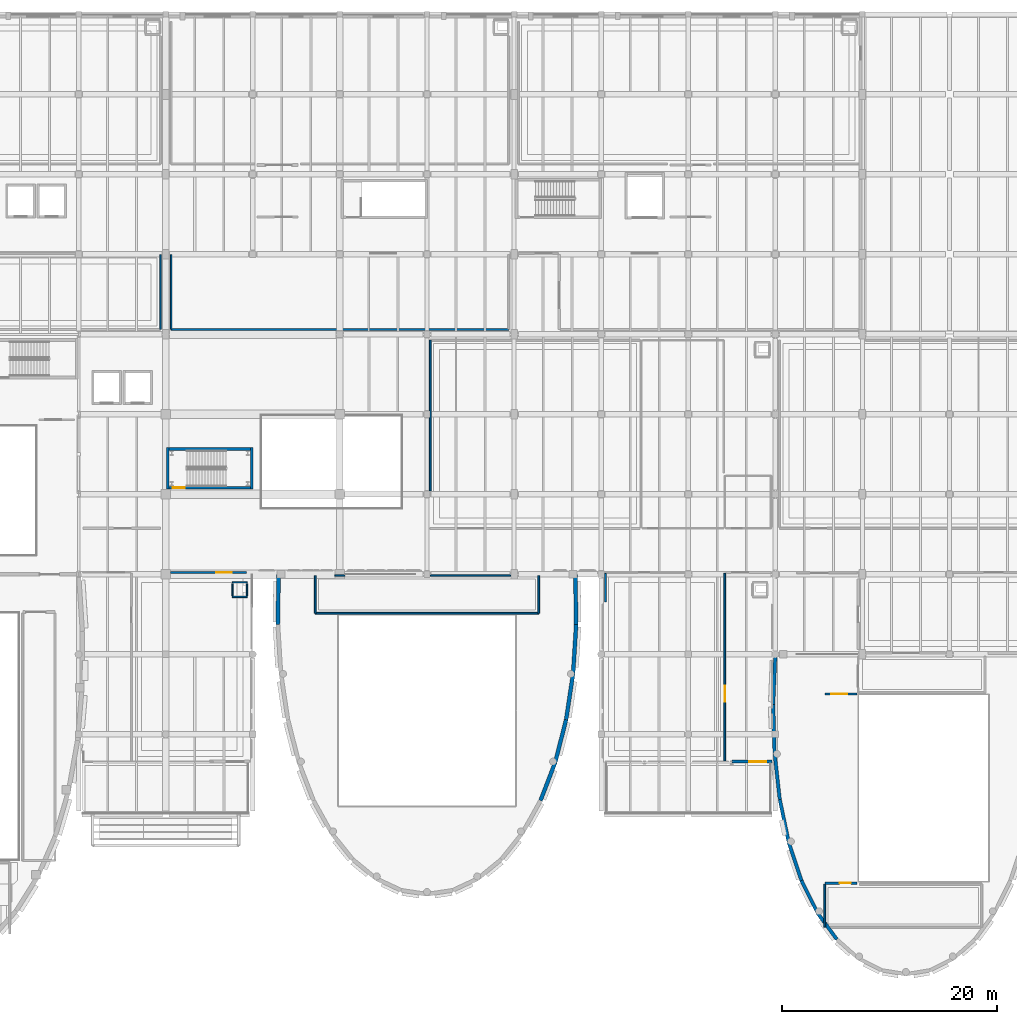
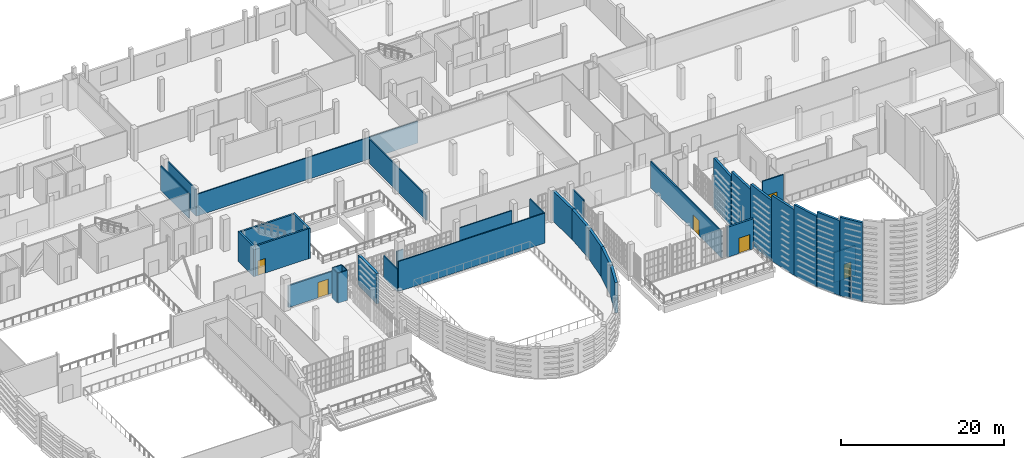
# One storey, part 90 of 104: 37 walls, 6 doors, 6 openings.
"""IFC4 building model written with IfcOpenShell, lengths in metres."""

from ifc_helpers import new_model, si_unit, direction, frame, frame_2d, origin, place, context, subcontext, project, spatial, rectangle, extrude, material, layer, layer_set, type_object, element, fill, save


model = new_model("IFC4")

# Units and contexts
model_context = context("Model", 3, precision=1e-05, world=origin(), true_north=direction((0.0, 1.0)))
body_context = subcontext(model_context, "Body", "Model", "MODEL_VIEW")
ifc_project = project(units=[si_unit("LENGTHUNIT", "METRE"), si_unit("AREAUNIT", "SQUARE_METRE"), si_unit("VOLUMEUNIT", "CUBIC_METRE"), si_unit("PLANEANGLEUNIT", "RADIAN"), si_unit("MASSUNIT", "GRAM", prefix="KILO")], contexts=[model_context])

# Site, building, storey
site_placement = place(None, origin())
site = spatial("IfcSite", under=ifc_project, at=site_placement, CompositionType="ELEMENT")
building_placement = place(site_placement, origin())
building = spatial("IfcBuilding", under=site, at=building_placement, Name="Kaelora Sail Theatre", CompositionType="ELEMENT")
storey_placement = place(building_placement, frame((0.0, 0.0, 5.39990234375)))
storey = spatial("IfcBuildingStorey", under=building, at=storey_placement, Name="L01", CompositionType="ELEMENT", Elevation=5.39990234375)

# Wall, opening, door
ifc_material_1 = material(Name="Concrete C40/50", Category="concrete")
ifc_layer_1 = layer(ifc_material_1, 0.25)
ifc_layer_set_1 = layer_set([ifc_layer_1], Name="Concrete C40/50")
wall_type_1 = type_object("IfcWallType", Name="ARC-WL-CW-250", PredefinedType="SHEAR", material=ifc_layer_set_1)
wall_1_placement = place(storey_placement, frame((66.625, 69.074951171875, 0.0), z_axis=(0.0, 0.0, 1.0), x_axis=(1.0, 0.0, 0.0)))
wall_1 = element("IfcWall", 1, at=wall_1_placement, inside=storey, type_object=wall_type_1, Name="Stair shaft ST-F1 wall L01-S", PredefinedType="SHEAR", context=body_context, shape_type="SweptSolid", body=[
    extrude(rectangle(XDim=7.5400390625, YDim=0.25, at=frame_2d((3.77001953125, 0.0))), origin(), (0.0, 0.0, 1.0), 4.525146484375),
])
opening_1_placement = place(wall_1_placement, frame((0.320068359375, 0.0, 0.0)))
opening_1 = element("IfcOpeningElement", 2, at=opening_1_placement, cuts=wall_1, Name="Opening FD-02", PredefinedType="OPENING", context=body_context, shape_type="SweptSolid", body=[
    extrude(rectangle(XDim=1.10009765625, YDim=2.199951171875, at=frame_2d((0.550048828125, 1.10009765625))), frame((0.0, 0.135, 0.0), z_axis=(0.0, -1.0, 0.0), x_axis=(1.0, 0.0, 0.0)), (0.0, 0.0, 1.0), 0.27),
])
ifc_material_2 = material(Name="Acoustic steel single stair/lobby fire door EI 90-C", Category="steel")
door_type_1 = type_object("IfcDoorType", Name="ARC-DR-FD-02", OperationType="NOTDEFINED", PredefinedType="DOOR", material=ifc_material_2)
door_1_placement = place(opening_1_placement, origin())
door_1 = element("IfcDoor", 3, at=door_1_placement, inside=storey, type_object=door_type_1, Name="Stair ST-F1 door (L01)", OperationType="SINGLE_SWING_RIGHT", OverallHeight=2.199951171875, OverallWidth=1.10009765625, PredefinedType="DOOR", context=body_context, shape_type="SweptSolid", body=[
    extrude(rectangle(XDim=1.10009765625, YDim=2.199951171875, at=frame_2d((0.550048828125, 1.10009765625))), frame((0.0, 0.02490234375, 0.0), z_axis=(0.0, -1.0, 0.0), x_axis=(1.0, 0.0, 0.0)), (0.0, 0.0, 1.0), 0.050048828125),
])
fill(opening_1, door_1)

# Walls
wall_2_placement = place(storey_placement, frame((66.625, 72.675048828125, 0.0), z_axis=(0.0, 0.0, 1.0), x_axis=(1.0, 0.0, 0.0)))
element("IfcWall", 4, at=wall_2_placement, inside=storey, type_object=wall_type_1, Name="Stair shaft ST-F1 wall L01-N", PredefinedType="SHEAR", context=body_context, shape_type="SweptSolid", body=[
    extrude(rectangle(XDim=7.5400390625, YDim=0.25, at=frame_2d((3.77001953125, 0.0))), origin(), (0.0, 0.0, 1.0), 4.525146484375),
])
for number, where, z_axis, x_axis, name in (
    (5, (66.4951171875, 68.949951171875, 0.0), (0.0, 0.0, 1.0), (0.0, 1.0, 0.0), "Stair shaft ST-F1 wall L01-W"),
    (6, (74.294921875, 68.949951171875, 0.0), (0.0, 0.0, 1.0), (0.0, 1.0, 0.0), "Stair shaft ST-F1 wall L01-E"),
):
    element("IfcWall", number, at=place(storey_placement, frame(where, z_axis=z_axis, x_axis=x_axis)), inside=storey, type_object=wall_type_1, Name=name, PredefinedType="SHEAR", context=body_context, shape_type="SweptSolid", body=[
        extrude(rectangle(XDim=3.85009765625, YDim=0.25, at=frame_2d((1.925048828125, 0.0))), origin(), (0.0, 0.0, 1.0), 4.525146484375),
    ])
ifc_material_3 = material(Name="Concrete C45/55", Category="concrete")
ifc_layer_2 = layer(ifc_material_3, 0.320068359375)
ifc_layer_set_2 = layer_set([ifc_layer_2], Name="Concrete C45/55")
wall_type_2 = type_object("IfcWallType", Name="ARC-WL-DW-320", PredefinedType="SHEAR", material=ifc_layer_set_2)
wall_3_placement = place(storey_placement, frame((128.723876953125, 27.063720703125, 0.0), z_axis=(0.0, 0.0, 1.0), x_axis=(-0.590526669923, 0.80701812378, 0.0)))
element("IfcWall", 7, at=wall_3_placement, inside=storey, type_object=wall_type_2, Name="Black-Box and Experimental Sail Wing curved drum acoustic wall L01 chord 14", PredefinedType="SHEAR", context=body_context, shape_type="SweptSolid", body=[
    extrude(rectangle(XDim=3.0234375, YDim=0.320068359375, at=frame_2d((1.51171875, 0.0))), origin(), (0.0, 0.0, 1.0), 11.79931640625),
])
wall_4_placement = place(storey_placement, frame((126.9384765625, 29.503662109375, 0.0), z_axis=(0.0, 0.0, 1.0), x_axis=(-0.444471407129, 0.895793038734, 0.0)))
element("IfcWall", 8, at=wall_4_placement, inside=storey, type_object=wall_type_2, Name="Black-Box and Experimental Sail Wing curved drum acoustic wall L01 chord 15", PredefinedType="SHEAR", context=body_context, shape_type="SweptSolid", body=[
    extrude(rectangle(XDim=3.3857421875, YDim=0.320068359375, at=frame_2d((1.69287109375, 0.0))), origin(), (0.0, 0.0, 1.0), 11.2529296875),
])
wall_5_placement = place(storey_placement, frame((125.43359375, 32.53662109375, 0.0), z_axis=(0.0, 0.0, 1.0), x_axis=(-0.316110347453, 0.948722429498, 0.0)))
element("IfcWall", 9, at=wall_5_placement, inside=storey, type_object=wall_type_2, Name="Black-Box and Experimental Sail Wing curved drum acoustic wall L01 chord 16", PredefinedType="SHEAR", context=body_context, shape_type="SweptSolid", body=[
    extrude(rectangle(XDim=3.74267578125, YDim=0.320068359375, at=frame_2d((1.871337890625, 0.0))), origin(), (0.0, 0.0, 1.0), 10.6005859375),
])
wall_6_placement = place(storey_placement, frame((124.25048828125, 36.08740234375, 0.0), z_axis=(0.0, 0.0, 1.0), x_axis=(-0.205581027368, 0.978640097884, 0.0)))
element("IfcWall", 10, at=wall_6_placement, inside=storey, type_object=wall_type_2, Name="Black-Box and Experimental Sail Wing curved drum acoustic wall L01 chord 17", PredefinedType="SHEAR", context=body_context, shape_type="SweptSolid", body=[
    extrude(rectangle(XDim=4.068603515625, YDim=0.320068359375, at=frame_2d((2.0341796875, 0.0))), origin(), (0.0, 0.0, 1.0), 9.879150390625),
])
wall_7_placement = place(storey_placement, frame((123.4140625, 40.069091796875, 0.0), z_axis=(0.0, 0.0, 1.0), x_axis=(-0.110727786474, 0.99385077215, 0.0)))
element("IfcWall", 11, at=wall_7_placement, inside=storey, type_object=wall_type_2, Name="Black-Box and Experimental Sail Wing curved drum acoustic wall L01 chord 18", PredefinedType="SHEAR", context=body_context, shape_type="SweptSolid", body=[
    extrude(rectangle(XDim=4.34130859375, YDim=0.320068359375, at=frame_2d((2.170654296875, 0.0))), origin(), (0.0, 0.0, 1.0), 9.084716796875),
])
wall_8_placement = place(storey_placement, frame((122.933349609375, 44.3837890625, 0.0), z_axis=(0.0, 0.0, 1.0), x_axis=(-0.028914192202, 0.99958189734, 0.0)))
element("IfcWall", 12, at=wall_8_placement, inside=storey, type_object=wall_type_2, Name="Black-Box and Experimental Sail Wing curved drum acoustic wall L01 chord 19", PredefinedType="SHEAR", context=body_context, shape_type="SweptSolid", body=[
    extrude(rectangle(XDim=4.542724609375, YDim=0.320068359375, at=frame_2d((2.271484375, 0.0))), origin(), (0.0, 0.0, 1.0), 8.2607421875),
])
wall_9_placement = place(storey_placement, frame((122.802001953125, 48.924560546875, 0.0), z_axis=(0.0, 0.0, 1.0), x_axis=(0.042491348944, 0.999096834779, 0.0)))
element("IfcWall", 13, at=wall_9_placement, inside=storey, type_object=wall_type_2, Name="Black-Box and Experimental Sail Wing curved drum acoustic wall L01 chord 20", PredefinedType="SHEAR", context=body_context, shape_type="SweptSolid", body=[
    extrude(rectangle(XDim=4.65966796875, YDim=0.320068359375, at=frame_2d((2.329833984375, 0.0))), origin(), (0.0, 0.0, 1.0), 7.417236328125),
])
ifc_material_4 = material(Name="Concrete C45/55", Category="concrete")
ifc_layer_3 = layer(ifc_material_4, 0.360107421875)
ifc_layer_set_3 = layer_set([ifc_layer_3], Name="Concrete C45/55")
wall_type_3 = type_object("IfcWallType", Name="ARC-WL-DW-360", PredefinedType="SHEAR", material=ifc_layer_set_3)
wall_10_placement = place(storey_placement, frame((104.39990234375, 61.02001953125, 0.0), z_axis=(0.0, 0.0, 1.0), x_axis=(0.0166215432, -0.999861852608, 0.0)))
element("IfcWall", 14, at=wall_10_placement, inside=storey, type_object=wall_type_3, Name="Studio Theatre Sail Drum curved drum acoustic wall L01 chord 1", PredefinedType="SHEAR", context=body_context, shape_type="SweptSolid", body=[
    extrude(rectangle(XDim=4.65625, YDim=0.360107421875, at=frame_2d((2.328125, 0.0))), origin(), (0.0, 0.0, 1.0), 4.525146484375),
])
wall_11_placement = place(storey_placement, frame((104.477294921875, 56.364501953125, 0.0), z_axis=(0.0, 0.0, 1.0), x_axis=(-0.062087628492, -0.998070702099, 0.0)))
element("IfcWall", 15, at=wall_11_placement, inside=storey, type_object=wall_type_3, Name="Studio Theatre Sail Drum curved drum acoustic wall L01 chord 2", PredefinedType="SHEAR", context=body_context, shape_type="SweptSolid", body=[
    extrude(rectangle(XDim=4.549560546875, YDim=0.360107421875, at=frame_2d((2.27490234375, 0.0))), origin(), (0.0, 0.0, 1.0), 4.525146484375),
])
wall_12_placement = place(storey_placement, frame((104.19482421875, 51.82373046875, 0.0), z_axis=(0.0, 0.0, 1.0), x_axis=(-0.149336298687, -0.988786463244, 0.0)))
element("IfcWall", 16, at=wall_12_placement, inside=storey, type_object=wall_type_3, Name="Studio Theatre Sail Drum curved drum acoustic wall L01 chord 3", PredefinedType="SHEAR", context=body_context, shape_type="SweptSolid", body=[
    extrude(rectangle(XDim=4.36328125, YDim=0.360107421875, at=frame_2d((2.181640625, 0.0))), origin(), (0.0, 0.0, 1.0), 4.525146484375),
])
wall_13_placement = place(storey_placement, frame((103.543212890625, 47.50927734375, 0.0), z_axis=(0.0, 0.0, 1.0), x_axis=(-0.247662085518, -0.968846474627, 0.0)))
element("IfcWall", 17, at=wall_13_placement, inside=storey, type_object=wall_type_3, Name="Studio Theatre Sail Drum curved drum acoustic wall L01 chord 4", PredefinedType="SHEAR", context=body_context, shape_type="SweptSolid", body=[
    extrude(rectangle(XDim=4.109619140625, YDim=0.360107421875, at=frame_2d((2.0546875, 0.0))), origin(), (0.0, 0.0, 1.0), 4.525146484375),
])
wall_14_placement = place(storey_placement, frame((102.525390625, 43.527587890625, 0.0), z_axis=(0.0, 0.0, 1.0), x_axis=(-0.359301516444, -0.933221527978, 0.0)))
element("IfcWall", 18, at=wall_14_placement, inside=storey, type_object=wall_type_3, Name="Studio Theatre Sail Drum curved drum acoustic wall L01 chord 5", PredefinedType="SHEAR", context=body_context, shape_type="SweptSolid", body=[
    extrude(rectangle(XDim=3.80517578125, YDim=0.360107421875, at=frame_2d((1.902587890625, 0.0))), origin(), (0.0, 0.0, 1.0), 4.525146484375),
])
wall_15_placement = place(storey_placement, frame((76.72265625, 56.364501953125, 0.0), z_axis=(0.0, 0.0, 1.0), x_axis=(0.0166215432, 0.999861852608, 0.0)))
element("IfcWall", 19, at=wall_15_placement, inside=storey, type_object=wall_type_3, Name="Studio Theatre Sail Drum curved drum acoustic wall L01 chord 20", PredefinedType="SHEAR", context=body_context, shape_type="SweptSolid", body=[
    extrude(rectangle(XDim=4.65625, YDim=0.360107421875, at=frame_2d((2.328125, 0.0))), origin(), (0.0, 0.0, 1.0), 4.525146484375),
])

# Wall, opening, door
ifc_material_5 = material(Name="Precast concrete C45/55", Category="concrete")
ifc_layer_4 = layer(ifc_material_5, 0.280029296875)
ifc_layer_set_4 = layer_set([ifc_layer_4], Name="Precast concrete C45/55")
wall_type_4 = type_object("IfcWallType", Name="ARC-WL-EW-280", PredefinedType="SOLIDWALL", material=ifc_layer_set_4)
wall_16_placement = place(storey_placement, frame((122.669921875, 43.590087890625, 0.0), z_axis=(0.0, 0.0, 1.0), x_axis=(-1.0, 0.0, 0.0)))
wall_16 = element("IfcWall", 20, at=wall_16_placement, inside=storey, type_object=wall_type_4, Name="East Interstitial Foyer Portal Pier (L01)", PredefinedType="SOLIDWALL", context=body_context, shape_type="SweptSolid", body=[
    extrude(rectangle(XDim=3.7099609375, YDim=0.280029296875, at=frame_2d((1.85498046875, 0.0))), origin(), (0.0, 0.0, 1.0), 4.505126953125),
])
opening_2_placement = place(wall_16_placement, frame((0.5, 0.0, 0.0)))
opening_2 = element("IfcOpeningElement", 21, at=opening_2_placement, cuts=wall_16, Name="Opening ED-05", PredefinedType="OPENING", context=body_context, shape_type="SweptSolid", body=[
    extrude(rectangle(XDim=1.60009765625, YDim=2.300048828125, at=frame_2d((0.800048828125, 1.14990234375))), frame((0.0, 0.150137, 0.0), z_axis=(0.0, -1.0, 0.0), x_axis=(1.0, 0.0, 0.0)), (0.0, 0.0, 1.0), 0.300029),
])
ifc_material_6 = material(Name="Terrace glazed double swing door", Category="aluminium")
door_type_2 = type_object("IfcDoorType", Name="ARC-DR-ED-05", OperationType="NOTDEFINED", PredefinedType="DOOR", material=ifc_material_6)
door_2_placement = place(opening_2_placement, origin())
door_2 = element("IfcDoor", 22, at=door_2_placement, inside=storey, type_object=door_type_2, Name="East Interstitial Foyer Entrance/Terrace Door (L01)", OperationType="DOUBLE_DOOR_SINGLE_SWING", OverallHeight=2.300048828125, OverallWidth=1.60009765625, PredefinedType="DOOR", context=body_context, shape_type="SweptSolid", body=[
    extrude(rectangle(XDim=1.60009765625, YDim=2.300048828125, at=frame_2d((0.800048828125, 1.14990234375))), frame((0.0, 0.02490234375, 0.0), z_axis=(0.0, -1.0, 0.0), x_axis=(1.0, 0.0, 0.0)), (0.0, 0.0, 1.0), 0.050048828125),
])
fill(opening_2, door_2)

# Walls
ifc_material_7 = material(Name="Standard metal-stud partition 120 mm", Category="gypsum")
ifc_layer_5 = layer(ifc_material_7, 0.1201171875)
ifc_layer_set_5 = layer_set([ifc_layer_5], Name="Standard metal-stud partition 120 mm")
wall_type_5 = type_object("IfcWallType", Name="ARC-WL-PT-120", PredefinedType="PARTITIONING", material=ifc_layer_set_5)
for number, where, z_axis, x_axis, name in (
    (23, (72.5048828125, 58.925048828125, 0.0), (0.0, 0.0, 1.0), (1.0, 0.0, 0.0), "MEP riser shaft wall FI-WEST-L01-S"),
    (24, (72.5048828125, 60.284912109375, 0.0), (0.0, 0.0, 1.0), (1.0, 0.0, 0.0), "MEP riser shaft wall FI-WEST-L01-N"),
):
    element("IfcWall", number, at=place(storey_placement, frame(where, z_axis=z_axis, x_axis=x_axis)), inside=storey, type_object=wall_type_5, Name=name, PredefinedType="PARTITIONING", context=body_context, shape_type="SweptSolid", body=[
        extrude(rectangle(XDim=1.360107421875, YDim=0.1201171875, at=frame_2d((0.68017578125, 0.0))), origin(), (0.0, 0.0, 1.0), 4.505126953125),
    ])
for number, where, z_axis, x_axis, name in (
    (25, (72.5048828125, 59.044921875, 0.0), (0.0, 0.0, 1.0), (0.0, 1.0, 0.0), "MEP riser shaft wall FI-WEST-L01-W"),
    (26, (73.864990234375, 59.044921875, 0.0), (0.0, 0.0, 1.0), (0.0, 1.0, 0.0), "MEP riser shaft wall FI-WEST-L01-E"),
):
    element("IfcWall", number, at=place(storey_placement, frame(where, z_axis=z_axis, x_axis=x_axis)), inside=storey, type_object=wall_type_5, Name=name, PredefinedType="PARTITIONING", context=body_context, shape_type="SweptSolid", body=[
        extrude(rectangle(XDim=1.1201171875, YDim=0.1201171875, at=frame_2d((0.56005859375, 0.0))), origin(), (0.0, 0.0, 1.0), 4.505126953125),
    ])

# Wall, opening, door
ifc_material_8 = material(Name="Acoustic metal-stud plasterboard 160 mm", Category="gypsum")
ifc_layer_6 = layer(ifc_material_8, 0.159912109375)
ifc_layer_set_6 = layer_set([ifc_layer_6], Name="Acoustic metal-stud plasterboard 160 mm")
wall_type_6 = type_object("IfcWallType", Name="ARC-WL-PT-160", PredefinedType="PARTITIONING", material=ifc_layer_set_6)
wall_17_placement = place(storey_placement, frame((127.60009765625, 49.89990234375, 0.0), z_axis=(0.0, 0.0, 1.0), x_axis=(1.0, 0.0, 0.0)))
wall_17 = element("IfcWall", 27, at=wall_17_placement, inside=storey, type_object=wall_type_6, Name="Interior acoustic partition L01-GAL-BB-W/L01-GAL-BB-NLOB", PredefinedType="PARTITIONING", context=body_context, shape_type="SweptSolid", body=[
    extrude(rectangle(XDim=3.0, YDim=0.159912109375, at=frame_2d((1.5, 0.0))), origin(), (0.0, 0.0, 1.0), 4.505126953125),
])
opening_3_placement = place(wall_17_placement, frame((0.580078125, 0.0, 0.0)))
opening_3 = element("IfcOpeningElement", 28, at=opening_3_placement, cuts=wall_17, Name="Opening FD-01", PredefinedType="OPENING", context=body_context, shape_type="SweptSolid", body=[
    extrude(rectangle(XDim=1.5, YDim=2.199951171875, at=frame_2d((0.75, 1.10009765625))), frame((0.0, 0.090078, 0.0), z_axis=(0.0, -1.0, 0.0), x_axis=(1.0, 0.0, 0.0)), (0.0, 0.0, 1.0), 0.179912),
])
ifc_material_9 = material(Name="Acoustic steel double fire door EI 90-C", Category="steel")
door_type_3 = type_object("IfcDoorType", Name="ARC-DR-FD-01", OperationType="NOTDEFINED", PredefinedType="DOOR", material=ifc_material_9)
door_3_placement = place(opening_3_placement, origin())
door_3 = element("IfcDoor", 29, at=door_3_placement, inside=storey, type_object=door_type_3, Name="Interior door L01-GAL-BB-W to L01-GAL-BB-NLOB", OperationType="DOUBLE_DOOR_SINGLE_SWING", OverallHeight=2.199951171875, OverallWidth=1.5, PredefinedType="DOOR", context=body_context, shape_type="SweptSolid", body=[
    extrude(rectangle(XDim=1.5, YDim=2.199951171875, at=frame_2d((0.75, 1.10009765625))), frame((0.0, 0.02490234375, 0.0), z_axis=(0.0, -1.0, 0.0), x_axis=(1.0, 0.0, 0.0)), (0.0, 0.0, 1.0), 0.050048828125),
])
fill(opening_3, door_3)

# Walls
wall_18_placement = place(storey_placement, frame((80.199951171875, 57.39990234375, 0.0), z_axis=(0.0, 0.0, 1.0), x_axis=(1.0, 0.0, 0.0)))
element("IfcWall", 30, at=wall_18_placement, inside=storey, type_object=wall_type_6, Name="Room enclosure wall L01-GAL-STUD-S1", PredefinedType="PARTITIONING", context=body_context, shape_type="SweptSolid", body=[
    extrude(rectangle(XDim=20.800048828125, YDim=0.159912109375, at=frame_2d((10.39990234375, 0.0))), origin(), (0.0, 0.0, 1.0), 4.505126953125),
])
wall_19_placement = place(storey_placement, frame((82.0400390625, 60.89990234375, 0.0), z_axis=(0.0, 0.0, 1.0), x_axis=(1.0, 0.0, 0.0)))
element("IfcWall", 31, at=wall_19_placement, inside=storey, type_object=wall_type_6, Name="Room enclosure wall L01-GAL-STUD-N1", PredefinedType="PARTITIONING", context=body_context, shape_type="SweptSolid", body=[
    extrude(rectangle(XDim=0.919921875, YDim=0.159912109375, at=frame_2d((0.4599609375, 0.0))), origin(), (0.0, 0.0, 1.0), 3.287109375),
])
wall_20_placement = place(storey_placement, frame((90.919921875, 60.89990234375, 0.0), z_axis=(0.0, 0.0, 1.0), x_axis=(1.0, 0.0, 0.0)))
element("IfcWall", 32, at=wall_20_placement, inside=storey, type_object=wall_type_6, Name="Room enclosure wall L01-GAL-STUD-N2", PredefinedType="PARTITIONING", context=body_context, shape_type="SweptSolid", body=[
    extrude(rectangle(XDim=7.4599609375, YDim=0.159912109375, at=frame_2d((3.72998046875, 0.0))), origin(), (0.0, 0.0, 1.0), 3.68701171875),
])
wall_21_placement = place(storey_placement, frame((80.199951171875, 57.39990234375, 0.0), z_axis=(0.0, 0.0, 1.0), x_axis=(0.0, 1.0, 0.0)))
element("IfcWall", 33, at=wall_21_placement, inside=storey, type_object=wall_type_6, Name="Room enclosure wall L01-GAL-STUD-W1", PredefinedType="PARTITIONING", context=body_context, shape_type="SweptSolid", body=[
    extrude(rectangle(XDim=3.5, YDim=0.159912109375, at=frame_2d((1.75, 0.0))), origin(), (0.0, 0.0, 1.0), 3.287109375),
])
wall_22_placement = place(storey_placement, frame((101.0, 57.39990234375, 0.0), z_axis=(0.0, 0.0, 1.0), x_axis=(0.0, 1.0, 0.0)))
element("IfcWall", 34, at=wall_22_placement, inside=storey, type_object=wall_type_6, Name="Room enclosure wall L01-GAL-STUD-E1", PredefinedType="PARTITIONING", context=body_context, shape_type="SweptSolid", body=[
    extrude(rectangle(XDim=3.5, YDim=0.159912109375, at=frame_2d((1.75, 0.0))), origin(), (0.0, 0.0, 1.0), 4.505126953125),
])
wall_23_placement = place(storey_placement, frame((127.60009765625, 28.199951171875, 0.0), z_axis=(0.0, 0.0, 1.0), x_axis=(0.0, 1.0, 0.0)))
element("IfcWall", 35, at=wall_23_placement, inside=storey, type_object=wall_type_6, Name="Room enclosure wall L01-GAL-BB-S-W1", PredefinedType="PARTITIONING", context=body_context, shape_type="SweptSolid", body=[
    extrude(rectangle(XDim=4.0, YDim=0.159912109375, at=frame_2d((2.0, 0.0))), origin(), (0.0, 0.0, 1.0), 4.505126953125),
])
wall_24_placement = place(storey_placement, frame((107.199951171875, 58.449951171875, 0.0), z_axis=(0.0, 0.0, 1.0), x_axis=(0.0, 1.0, 0.0)))
element("IfcWall", 36, at=wall_24_placement, inside=storey, type_object=wall_type_6, Name="Room enclosure wall L01-FOY-INTER2-W1", PredefinedType="PARTITIONING", context=body_context, shape_type="SweptSolid", body=[
    extrude(rectangle(XDim=2.650146484375, YDim=0.159912109375, at=frame_2d((1.3251953125, 0.0))), origin(), (0.0, 0.0, 1.0), 3.68701171875),
])
wall_25_placement = place(storey_placement, frame((90.89990234375, 68.780029296875, 0.0), z_axis=(0.0, 0.0, 1.0), x_axis=(0.0, 1.0, 0.0)))
element("IfcWall", 37, at=wall_25_placement, inside=storey, type_object=wall_type_6, Name="Room enclosure wall L01-FOY-BAR-W1", PredefinedType="PARTITIONING", context=body_context, shape_type="SweptSolid", body=[
    extrude(rectangle(XDim=14.02001953125, YDim=0.159912109375, at=frame_2d((7.010009765625, 0.0))), origin(), (0.0, 0.0, 1.0), 3.68701171875),
])
wall_26_placement = place(storey_placement, frame((65.800048828125, 83.800048828125, 0.0), z_axis=(0.0, 0.0, 1.0), x_axis=(0.0, 1.0, 0.0)))
element("IfcWall", 38, at=wall_26_placement, inside=storey, type_object=wall_type_6, Name="Room enclosure wall L01-WIG-MAKEUP-E1", PredefinedType="PARTITIONING", context=body_context, shape_type="SweptSolid", body=[
    extrude(rectangle(XDim=6.949951171875, YDim=0.159912109375, at=frame_2d((3.47509765625, 0.0))), origin(), (0.0, 0.0, 1.0), 3.68701171875),
])
wall_27_placement = place(storey_placement, frame((66.800048828125, 83.800048828125, 0.0), z_axis=(0.0, 0.0, 1.0), x_axis=(1.0, 0.0, 0.0)))
element("IfcWall", 39, at=wall_27_placement, inside=storey, type_object=wall_type_6, Name="Room enclosure wall L01-DYE-SHOP-S1", PredefinedType="PARTITIONING", context=body_context, shape_type="SweptSolid", body=[
    extrude(rectangle(XDim=31.39990234375, YDim=0.159912109375, at=frame_2d((15.699951171875, 0.0))), origin(), (0.0, 0.0, 1.0), 3.287109375),
])
wall_28_placement = place(storey_placement, frame((66.800048828125, 83.800048828125, 0.0), z_axis=(0.0, 0.0, 1.0), x_axis=(0.0, 1.0, 0.0)))
element("IfcWall", 40, at=wall_28_placement, inside=storey, type_object=wall_type_6, Name="Room enclosure wall L01-DYE-SHOP-W1", PredefinedType="PARTITIONING", context=body_context, shape_type="SweptSolid", body=[
    extrude(rectangle(XDim=6.949951171875, YDim=0.159912109375, at=frame_2d((3.47509765625, 0.0))), origin(), (0.0, 0.0, 1.0), 3.987060546875),
])

# Wall, opening, door
ifc_material_10 = material(Name="Workshop acoustic stud partition 170 mm", Category="gypsum")
ifc_layer_7 = layer(ifc_material_10, 0.169921875)
ifc_layer_set_7 = layer_set([ifc_layer_7], Name="Workshop acoustic stud partition 170 mm")
wall_type_7 = type_object("IfcWallType", Name="ARC-WL-PT-170", PredefinedType="PARTITIONING", material=ifc_layer_set_7)
wall_29_placement = place(storey_placement, frame((118.300048828125, 43.669921875, 0.0), z_axis=(0.0, 0.0, 1.0), x_axis=(0.0, 1.0, 0.0)))
wall_29 = element("IfcWall", 41, at=wall_29_placement, inside=storey, type_object=wall_type_7, Name="Interior acoustic partition L01-COR-INTER2/L01-FOY-INTER2", PredefinedType="PARTITIONING", context=body_context, shape_type="SweptSolid", body=[
    extrude(rectangle(XDim=17.43017578125, YDim=0.169921875, at=frame_2d((8.715087890625, 0.0))), origin(), (0.0, 0.0, 1.0), 3.987060546875),
])
opening_4_placement = place(wall_29_placement, frame((5.52001953125, 0.0, 0.0)))
opening_4 = element("IfcOpeningElement", 42, at=opening_4_placement, cuts=wall_29, Name="Opening ID-12", PredefinedType="OPENING", context=body_context, shape_type="SweptSolid", body=[
    extrude(rectangle(XDim=1.449951171875, YDim=2.300048828125, at=frame_2d((0.72509765625, 1.14990234375))), frame((0.0, 0.094961, 0.0), z_axis=(0.0, -1.0, 0.0), x_axis=(1.0, 0.0, 0.0)), (0.0, 0.0, 1.0), 0.189922),
])
ifc_material_11 = material(Name="Orchestra warm-up acoustic double door", Category="steel")
door_type_4 = type_object("IfcDoorType", Name="ARC-DR-ID-12", OperationType="NOTDEFINED", PredefinedType="DOOR", material=ifc_material_11)
door_4_placement = place(opening_4_placement, origin())
door_4 = element("IfcDoor", 43, at=door_4_placement, inside=storey, type_object=door_type_4, Name="Interior door L01-COR-INTER2 to L01-FOY-INTER2", OperationType="DOUBLE_DOOR_SINGLE_SWING", OverallHeight=2.300048828125, OverallWidth=1.449951171875, PredefinedType="DOOR", context=body_context, shape_type="SweptSolid", body=[
    extrude(rectangle(XDim=1.449951171875, YDim=2.300048828125, at=frame_2d((0.72509765625, 1.14990234375))), frame((0.0, 0.02490234375, 0.0), z_axis=(0.0, -1.0, 0.0), x_axis=(1.0, 0.0, 0.0)), (0.0, 0.0, 1.0), 0.050048828125),
])
fill(opening_4, door_4)

ifc_material_12 = material(Name="Acoustic double-stud plasterboard 200 mm", Category="gypsum")
ifc_layer_8 = layer(ifc_material_12, 0.199951171875)
ifc_layer_set_8 = layer_set([ifc_layer_8], Name="Acoustic double-stud plasterboard 200 mm")
wall_type_8 = type_object("IfcWallType", Name="ARC-WL-PT-200", PredefinedType="PARTITIONING", material=ifc_layer_set_8)
wall_30_placement = place(storey_placement, frame((66.7548828125, 61.199951171875, 0.0), z_axis=(0.0, 0.0, 1.0), x_axis=(1.0, 0.0, 0.0)))
wall_30 = element("IfcWall", 44, at=wall_30_placement, inside=storey, type_object=wall_type_8, Name="Interior acoustic partition L01-FOY-INTER1/L01-COR-FOYC", PredefinedType="PARTITIONING", context=body_context, shape_type="SweptSolid", body=[
    extrude(rectangle(XDim=7.045166015625, YDim=0.199951171875, at=frame_2d((3.5224609375, 0.0))), origin(), (0.0, 0.0, 1.0), 3.287109375),
])
opening_5_placement = place(wall_30_placement, frame((4.243896484375, 0.0, 0.0)))
opening_5 = element("IfcOpeningElement", 45, at=opening_5_placement, cuts=wall_30, Name="Opening ID-12", PredefinedType="OPENING", context=body_context, shape_type="SweptSolid", body=[
    extrude(rectangle(XDim=1.449951171875, YDim=2.300048828125, at=frame_2d((0.72509765625, 1.14990234375))), frame((0.0, 0.110098, 0.0), z_axis=(0.0, -1.0, 0.0), x_axis=(1.0, 0.0, 0.0)), (0.0, 0.0, 1.0), 0.219951),
])
door_5_placement = place(opening_5_placement, origin())
door_5 = element("IfcDoor", 46, at=door_5_placement, inside=storey, type_object=door_type_4, Name="Interior door L01-FOY-INTER1 to L01-COR-FOYC", OperationType="DOUBLE_DOOR_SINGLE_SWING", OverallHeight=2.300048828125, OverallWidth=1.449951171875, PredefinedType="DOOR", context=body_context, shape_type="SweptSolid", body=[
    extrude(rectangle(XDim=1.449951171875, YDim=2.300048828125, at=frame_2d((0.72509765625, 1.14990234375))), frame((0.0, 0.02490234375, 0.0), z_axis=(0.0, -1.0, 0.0), x_axis=(1.0, 0.0, 0.0)), (0.0, 0.0, 1.0), 0.050048828125),
])
fill(opening_5, door_5)

ifc_material_13 = material(Name="Studio box-in-box acoustic partition 215 mm", Category="gypsum")
ifc_layer_9 = layer(ifc_material_13, 0.215087890625)
ifc_layer_set_9 = layer_set([ifc_layer_9], Name="Studio box-in-box acoustic partition 215 mm")
wall_type_9 = type_object("IfcWallType", Name="ARC-WL-PT-215", PredefinedType="PARTITIONING", material=ifc_layer_set_9)
wall_31_placement = place(storey_placement, frame((127.60009765625, 32.300048828125, 0.0), z_axis=(0.0, 0.0, 1.0), x_axis=(1.0, 0.0, 0.0)))
wall_31 = element("IfcWall", 47, at=wall_31_placement, inside=storey, type_object=wall_type_9, Name="Interior acoustic partition L01-GAL-BB-S/L01-GAL-BB-W", PredefinedType="PARTITIONING", context=body_context, shape_type="SweptSolid", body=[
    extrude(rectangle(XDim=3.0, YDim=0.215087890625, at=frame_2d((1.5, 0.0))), origin(), (0.0, 0.0, 1.0), 4.505126953125),
])
opening_6_placement = place(wall_31_placement, frame((1.3701171875, 0.0, 0.0)))
opening_6 = element("IfcOpeningElement", 48, at=opening_6_placement, cuts=wall_31, Name="Opening ID-06", PredefinedType="OPENING", context=body_context, shape_type="SweptSolid", body=[
    extrude(rectangle(XDim=1.050048828125, YDim=2.25, at=frame_2d((0.52490234375, 1.125))), frame((0.0, 0.117422, 0.0), z_axis=(0.0, -1.0, 0.0), x_axis=(1.0, 0.0, 0.0)), (0.0, 0.0, 1.0), 0.235088),
])
ifc_material_14 = material(Name="Soloist dressing acoustic timber door", Category="wood")
door_type_5 = type_object("IfcDoorType", Name="ARC-DR-ID-06", OperationType="NOTDEFINED", PredefinedType="DOOR", material=ifc_material_14)
door_6_placement = place(opening_6_placement, origin())
door_6 = element("IfcDoor", 49, at=door_6_placement, inside=storey, type_object=door_type_5, Name="Interior door L01-GAL-BB-S to L01-GAL-BB-W", OperationType="SINGLE_SWING_LEFT", OverallHeight=2.25, OverallWidth=1.050048828125, PredefinedType="DOOR", context=body_context, shape_type="SweptSolid", body=[
    extrude(rectangle(XDim=1.050048828125, YDim=2.25, at=frame_2d((0.52490234375, 1.125))), frame((0.0, 0.02490234375, 0.0), z_axis=(0.0, -1.0, 0.0), x_axis=(1.0, 0.0, 0.0)), (0.0, 0.0, 1.0), 0.050048828125),
])
fill(opening_6, door_6)

save(model, "model.ifc")
